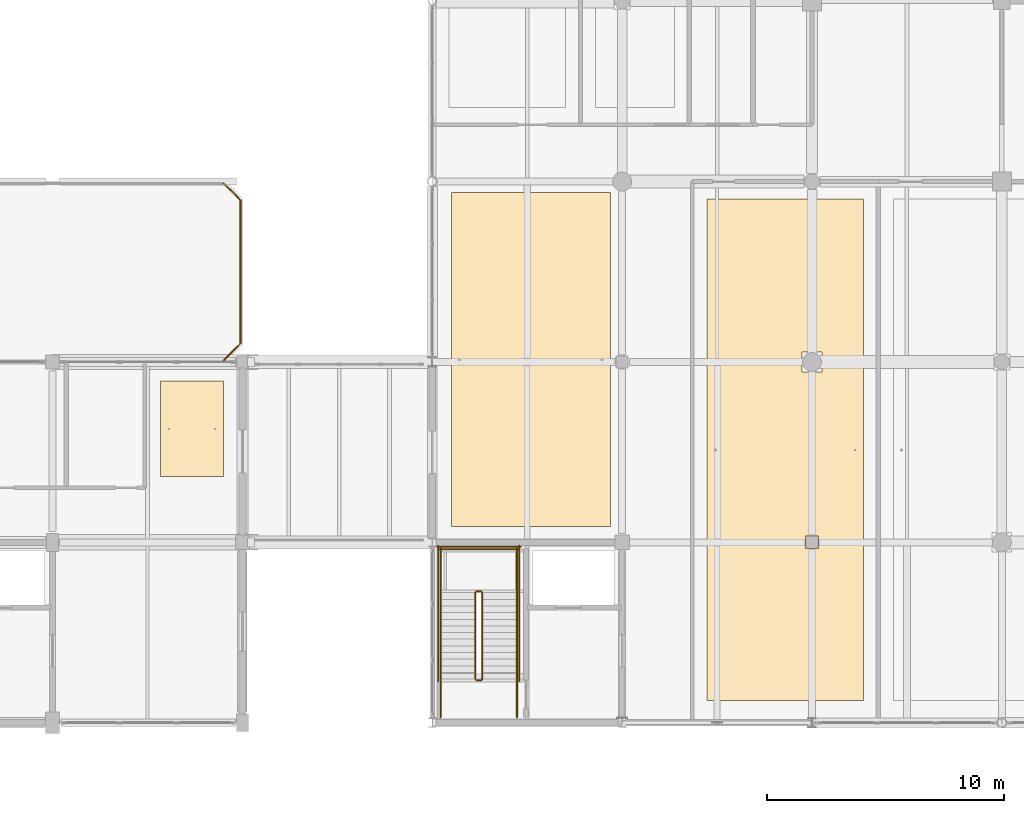
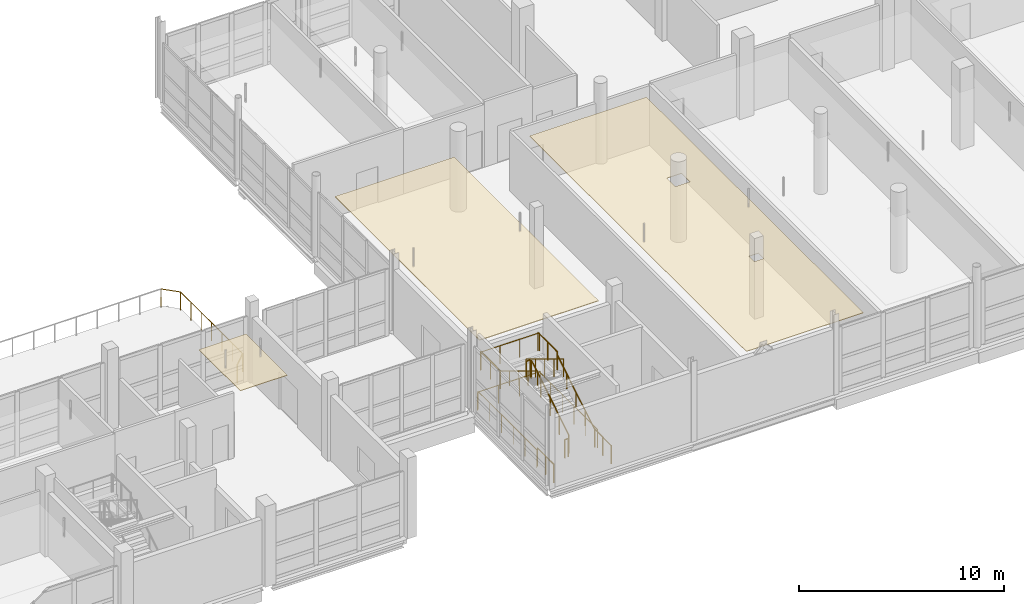
# One storey, part 142 of 147: 17 railings, 3 coverings.
"""IFC4 building model written with IfcOpenShell, lengths in metres."""

from ifc_helpers import new_model, si_unit, direction, frame, origin, origin_2d, place, context, subcontext, project, spatial, polyline, circle, outline, extrude, material, layer, layer_set, type_object, element, save


model = new_model("IFC4")

# Units and contexts
model_context = context("Model", 3, precision=1e-05, world=origin(), true_north=direction((0.0, 1.0)))
body_context = subcontext(model_context, "Body", "Model", "MODEL_VIEW")
ifc_project = project(units=[si_unit("LENGTHUNIT", "METRE"), si_unit("AREAUNIT", "SQUARE_METRE"), si_unit("VOLUMEUNIT", "CUBIC_METRE"), si_unit("PLANEANGLEUNIT", "RADIAN"), si_unit("MASSUNIT", "GRAM", prefix="KILO")], contexts=[model_context])

# Site, building, storey
site_placement = place(None, origin())
site = spatial("IfcSite", under=ifc_project, at=site_placement, CompositionType="ELEMENT")
building_placement = place(site_placement, origin())
building = spatial("IfcBuilding", under=site, at=building_placement, Name="Khelvaren Railside Concert Hall", CompositionType="ELEMENT")
storey_placement = place(building_placement, frame((0.0, 0.0, 5.39990234375)))
storey = spatial("IfcBuildingStorey", under=building, at=storey_placement, Name="L01", CompositionType="ELEMENT", Elevation=5.39990234375)

# Railings
ifc_material_1 = material(Name="Architectural stainless steel Grade 316", Category="steel")
railing_type_1 = type_object("IfcRailingType", Name="BAL77", PredefinedType="BALUSTRADE", material=ifc_material_1)
railing_1_placement = place(storey_placement, frame((135.219970703125, 15.280029296875, 0.0)))
element("IfcRailing", 1, at=railing_1_placement, inside=storey, type_object=railing_type_1, Name="Terrace Perimeter Balustrade V3-L01-SE", PredefinedType="BALUSTRADE", context=body_context, shape_type="SweptSolid", body=[
    extrude(circle(Radius=0.02392578125, at=origin_2d()), frame((0.0, 0.0, 1.076171875), z_axis=(0.707106781187, 0.707106781187, 0.0), x_axis=(-0.707106781187, 0.707106781187, 0.0)), (0.0, 0.0, 1.0), 0.989990234375),
    extrude(circle(Radius=0.02099609375, at=origin_2d()), origin(), (0.0, 0.0, 1.0), 1.052001953125),
    extrude(circle(Radius=0.02099609375, at=origin_2d()), frame((0.699951171875, 0.699951171875, 0.0)), (0.0, 0.0, 1.0), 1.052001953125),
])
railing_2_placement = place(storey_placement, frame((135.919921875, 15.97998046875, 0.0)))
element("IfcRailing", 2, at=railing_2_placement, inside=storey, type_object=railing_type_1, Name="Terrace Perimeter Balustrade V3-L01-E", PredefinedType="BALUSTRADE", context=body_context, shape_type="SweptSolid", body=[
    extrude(circle(Radius=0.02392578125, at=origin_2d()), frame((0.0, 0.0, 1.076171875), z_axis=(0.0, 1.0, 0.0), x_axis=(-1.0, 0.0, 0.0)), (0.0, 0.0, 1.0), 6.0400390625),
    extrude(circle(Radius=0.02099609375, at=origin_2d()), origin(), (0.0, 0.0, 1.0), 1.052001953125),
    extrude(circle(Radius=0.02099609375, at=origin_2d()), frame((0.0, 1.006591796875, 0.0)), (0.0, 0.0, 1.0), 1.052001953125),
    extrude(circle(Radius=0.02099609375, at=origin_2d()), frame((0.0, 2.013427734375, 0.0)), (0.0, 0.0, 1.0), 1.052001953125),
    extrude(circle(Radius=0.02099609375, at=origin_2d()), frame((0.0, 3.02001953125, 0.0)), (0.0, 0.0, 1.0), 1.052001953125),
    extrude(circle(Radius=0.02099609375, at=origin_2d()), frame((0.0, 4.026611328125, 0.0)), (0.0, 0.0, 1.0), 1.052001953125),
    extrude(circle(Radius=0.02099609375, at=origin_2d()), frame((0.0, 5.033447265625, 0.0)), (0.0, 0.0, 1.0), 1.052001953125),
    extrude(circle(Radius=0.02099609375, at=origin_2d()), frame((0.0, 6.0400390625, 0.0)), (0.0, 0.0, 1.0), 1.052001953125),
])
railing_3_placement = place(storey_placement, frame((135.919921875, 22.02001953125, 0.0)))
element("IfcRailing", 3, at=railing_3_placement, inside=storey, type_object=railing_type_1, Name="Terrace Perimeter Balustrade V3-L01-NE", PredefinedType="BALUSTRADE", context=body_context, shape_type="SweptSolid", body=[
    extrude(circle(Radius=0.02392578125, at=origin_2d()), frame((0.0, 0.0, 1.076171875), z_axis=(-0.707106781187, 0.707106781187, 0.0), x_axis=(-0.707106781187, -0.707106781187, 0.0)), (0.0, 0.0, 1.0), 0.989990234375),
    extrude(circle(Radius=0.02099609375, at=origin_2d()), origin(), (0.0, 0.0, 1.0), 1.052001953125),
    extrude(circle(Radius=0.02099609375, at=origin_2d()), frame((-0.699951171875, 0.699951171875, 0.0)), (0.0, 0.0, 1.0), 1.052001953125),
])

# Coverings
ifc_material_2 = material(Name="Mineral-wool acoustic baffle ceiling", Category="gypsum")
ifc_layer_1 = layer(ifc_material_2, 0.0400390625)
ifc_layer_set_1 = layer_set([ifc_layer_1], Name="Mineral-wool acoustic baffle ceiling")
covering_type_1 = type_object("IfcCoveringType", Name="CLG20", PredefinedType="CEILING", material=ifc_layer_set_1)
covering_1_placement = place(storey_placement, frame((0.0, 0.0, 3.41015625)))
element("IfcCovering", 4, at=covering_1_placement, inside=storey, type_object=covering_type_1, Name="Suspended Acoustic Ceiling V2 L01 West Bridge Foyer", PredefinedType="CEILING", context=body_context, shape_type="SweptSolid", body=[
    extrude(outline(polyline([(144.800048828125, 8.27001953125), (151.5, 8.27001953125), (151.5, 22.35009765625), (144.800048828125, 22.35009765625), (144.800048828125, 8.27001953125)])), origin(), (0.0, 0.0, 1.0), 0.0400390625),
])
ifc_material_3 = material(Name="Micro-perforated timber acoustic ceiling", Category="wood")
ifc_layer_2 = layer(ifc_material_3, 0.030029296875)
ifc_layer_set_2 = layer_set([ifc_layer_2], Name="Micro-perforated timber acoustic ceiling")
covering_type_2 = type_object("IfcCoveringType", Name="CLG77", PredefinedType="CEILING", material=ifc_layer_set_2)
covering_2_placement = place(storey_placement, frame((0.0, 0.0, 3.420166015625)))
element("IfcCovering", 5, at=covering_2_placement, inside=storey, type_object=covering_type_2, Name="Suspended Acoustic Ceiling Mastering Control Suite A", PredefinedType="CEILING", context=body_context, shape_type="SweptSolid", body=[
    extrude(outline(polyline([(155.580078125, 0.929931640625), (162.166015625, 0.929931640625), (162.166015625, 22.070068359375), (155.580078125, 22.070068359375), (155.580078125, 0.929931640625)]), holes=[polyline([(159.735107421875, 7.3349609375), (160.264892578125, 7.3349609375), (160.264892578125, 7.864990234375), (159.735107421875, 7.864990234375), (159.735107421875, 7.3349609375)]), polyline([(159.5849609375, 14.784912109375), (160.4150390625, 14.784912109375), (160.4150390625, 15.614990234375), (159.5849609375, 15.614990234375), (159.5849609375, 14.784912109375)])]), origin(), (0.0, 0.0, 1.0), 0.030029296875),
])
covering_3_placement = place(storey_placement, frame((0.0, 0.0, 3.420166015625)))
element("IfcCovering", 6, at=covering_3_placement, inside=storey, type_object=covering_type_2, Name="Suspended Acoustic Ceiling V3 L01 East Bridge Foyer", PredefinedType="CEILING", context=body_context, shape_type="SweptSolid", body=[
    extrude(outline(polyline([(132.550048828125, 10.3701171875), (135.199951171875, 10.3701171875), (135.199951171875, 14.39990234375), (132.550048828125, 14.39990234375), (132.550048828125, 10.3701171875)])), origin(), (0.0, 0.0, 1.0), 0.030029296875),
])

# Railings
ifc_material_4 = material(Name="Painted architectural steel", Category="steel")
railing_type_2 = type_object("IfcRailingType", Name="GRD86", PredefinedType="GUARDRAIL", material=ifc_material_4)
railing_4_placement = place(storey_placement, frame((146.110107421875, 1.840087890625, 0.171630859375)))
element("IfcRailing", 7, at=railing_4_placement, inside=storey, type_object=railing_type_2, Name="L01 ST-03 stair guard 1", PredefinedType="GUARDRAIL", context=body_context, shape_type="SweptSolid", body=[
    extrude(circle(Radius=0.02392578125, at=origin_2d()), frame((0.0, 0.0, 1.076171875), z_axis=(0.0, 0.852850264322, 0.5221555579), x_axis=(-1.0, 0.0, 0.0)), (0.0, 0.0, 1.0), 4.267822265625),
    extrude(circle(Radius=0.02099609375, at=origin_2d()), origin(), (0.0, 0.0, 1.0), 1.052001953125),
    extrude(circle(Radius=0.02099609375, at=origin_2d()), frame((0.0, 0.909912109375, 0.55712890625)), (0.0, 0.0, 1.0), 1.052001953125),
    extrude(circle(Radius=0.02099609375, at=origin_2d()), frame((0.0, 1.81982421875, 1.1142578125)), (0.0, 0.0, 1.0), 1.052001953125),
    extrude(circle(Radius=0.02099609375, at=origin_2d()), frame((0.0, 2.72998046875, 1.67138671875)), (0.0, 0.0, 1.0), 1.052001953125),
    extrude(circle(Radius=0.02099609375, at=origin_2d()), frame((0.0, 3.639892578125, 2.228515625)), (0.0, 0.0, 1.0), 1.052001953125),
])
railing_5_placement = place(storey_placement, frame((146.06005859375, 5.530029296875, 2.400146484375)))
element("IfcRailing", 8, at=railing_5_placement, inside=storey, type_object=railing_type_2, Name="L01 ST-03 stair guard 2", PredefinedType="GUARDRAIL", context=body_context, shape_type="SweptSolid", body=[
    extrude(circle(Radius=0.02392578125, at=origin_2d()), frame((0.0, 0.0, 1.076171875), z_axis=(-1.0, 0.0, 0.0), x_axis=(0.0, -1.0, 0.0)), (0.0, 0.0, 1.0), 0.199951171875),
    extrude(circle(Radius=0.02099609375, at=origin_2d()), origin(), (0.0, 0.0, 1.0), 1.052001953125),
    extrude(circle(Radius=0.02099609375, at=origin_2d()), frame((-0.199951171875, 0.0, 0.0)), (0.0, 0.0, 1.0), 1.052001953125),
])
for number, where, name in (
    (9, (147.570068359375, 5.47998046875, 2.400146484375), "L01 ST-03 stair guard 3"),
    (10, (144.35009765625, 5.47998046875, 2.400146484375), "L01 ST-03 stair guard 4"),
):
    element("IfcRailing", number, at=place(storey_placement, frame(where)), inside=storey, type_object=railing_type_2, Name=name, PredefinedType="GUARDRAIL", context=body_context, shape_type="SweptSolid", body=[
        extrude(circle(Radius=0.02392578125, at=origin_2d()), frame((0.0, 0.0, 1.076171875), z_axis=(0.0, 1.0, 0.0), x_axis=(-1.0, 0.0, 0.0)), (0.0, 0.0, 1.0), 1.880126953125),
        extrude(circle(Radius=0.02099609375, at=origin_2d()), origin(), (0.0, 0.0, 1.0), 1.052001953125),
        extrude(circle(Radius=0.02099609375, at=origin_2d()), frame((0.0, 0.93994140625, 0.0)), (0.0, 0.0, 1.0), 1.052001953125),
        extrude(circle(Radius=0.02099609375, at=origin_2d()), frame((0.0, 1.880126953125, 0.0)), (0.0, 0.0, 1.0), 1.052001953125),
    ])
railing_6_placement = place(storey_placement, frame((147.6201171875, 7.31005859375, 2.400146484375)))
element("IfcRailing", 11, at=railing_6_placement, inside=storey, type_object=railing_type_2, Name="L01 ST-03 stair guard 5", PredefinedType="GUARDRAIL", context=body_context, shape_type="SweptSolid", body=[
    extrude(circle(Radius=0.02392578125, at=origin_2d()), frame((0.0, 0.0, 1.076171875), z_axis=(-1.0, 0.0, 0.0), x_axis=(0.0, -1.0, 0.0)), (0.0, 0.0, 1.0), 3.320068359375),
    extrude(circle(Radius=0.02099609375, at=origin_2d()), origin(), (0.0, 0.0, 1.0), 1.052001953125),
    extrude(circle(Radius=0.02099609375, at=origin_2d()), frame((-1.106689453125, 0.0, 0.0)), (0.0, 0.0, 1.0), 1.052001953125),
    extrude(circle(Radius=0.02099609375, at=origin_2d()), frame((-2.21337890625, 0.0, 0.0)), (0.0, 0.0, 1.0), 1.052001953125),
    extrude(circle(Radius=0.02099609375, at=origin_2d()), frame((-3.320068359375, 0.0, 0.0)), (0.0, 0.0, 1.0), 1.052001953125),
])
railing_7_placement = place(storey_placement, frame((145.81005859375, 5.47998046875, 2.571533203125)))
element("IfcRailing", 12, at=railing_7_placement, inside=storey, type_object=railing_type_2, Name="L01 ST-03 stair guard 6", PredefinedType="GUARDRAIL", context=body_context, shape_type="SweptSolid", body=[
    extrude(circle(Radius=0.02392578125, at=origin_2d()), frame((0.0, 0.0, 1.076171875), z_axis=(0.0, -0.852850264322, 0.5221555579), x_axis=(1.0, 0.0, 0.0)), (0.0, 0.0, 1.0), 4.267822265625),
    extrude(circle(Radius=0.02099609375, at=origin_2d()), origin(), (0.0, 0.0, 1.0), 1.052001953125),
    extrude(circle(Radius=0.02099609375, at=origin_2d()), frame((0.0, -0.909912109375, 0.55712890625)), (0.0, 0.0, 1.0), 1.052001953125),
    extrude(circle(Radius=0.02099609375, at=origin_2d()), frame((0.0, -1.81982421875, 1.1142578125)), (0.0, 0.0, 1.0), 1.052001953125),
    extrude(circle(Radius=0.02099609375, at=origin_2d()), frame((0.0, -2.72998046875, 1.67138671875)), (0.0, 0.0, 1.0), 1.052001953125),
    extrude(circle(Radius=0.02099609375, at=origin_2d()), frame((0.0, -3.639892578125, 2.228515625)), (0.0, 0.0, 1.0), 1.052001953125),
])
railing_8_placement = place(storey_placement, frame((146.06005859375, 1.7900390625, 0.0)))
element("IfcRailing", 13, at=railing_8_placement, inside=storey, type_object=railing_type_2, Name="L01 ST-03 stair guard 7", PredefinedType="GUARDRAIL", context=body_context, shape_type="SweptSolid", body=[
    extrude(circle(Radius=0.02392578125, at=origin_2d()), frame((0.0, 0.0, 1.076171875), z_axis=(-1.0, 0.0, 0.0), x_axis=(0.0, -1.0, 0.0)), (0.0, 0.0, 1.0), 0.199951171875),
    extrude(circle(Radius=0.02099609375, at=origin_2d()), origin(), (0.0, 0.0, 1.0), 1.052001953125),
    extrude(circle(Radius=0.02099609375, at=origin_2d()), frame((-0.199951171875, 0.0, 0.0)), (0.0, 0.0, 1.0), 1.052001953125),
])
for number, where, name in (
    (14, (147.570068359375, 0.239990234375, 0.0), "L01 ST-03 stair guard 8"),
    (15, (144.35009765625, 0.239990234375, 0.0), "L01 ST-03 stair guard 9"),
):
    element("IfcRailing", number, at=place(storey_placement, frame(where)), inside=storey, type_object=railing_type_2, Name=name, PredefinedType="GUARDRAIL", context=body_context, shape_type="SweptSolid", body=[
        extrude(circle(Radius=0.02392578125, at=origin_2d()), frame((0.0, 0.0, 1.076171875), z_axis=(0.0, 1.0, 0.0), x_axis=(-1.0, 0.0, 0.0)), (0.0, 0.0, 1.0), 1.60009765625),
        extrude(circle(Radius=0.02099609375, at=origin_2d()), origin(), (0.0, 0.0, 1.0), 1.052001953125),
        extrude(circle(Radius=0.02099609375, at=origin_2d()), frame((0.0, 0.800048828125, 0.0)), (0.0, 0.0, 1.0), 1.052001953125),
        extrude(circle(Radius=0.02099609375, at=origin_2d()), frame((0.0, 1.60009765625, 0.0)), (0.0, 0.0, 1.0), 1.052001953125),
    ])
for number, where, name in (
    (16, (147.669921875, 1.739990234375, 0.0), "L01 ST-03 stair guard 10"),
    (17, (144.25, 1.739990234375, 0.0), "L01 ST-03 stair guard 11"),
):
    element("IfcRailing", number, at=place(storey_placement, frame(where)), inside=storey, type_object=railing_type_2, Name=name, PredefinedType="GUARDRAIL", context=body_context, shape_type="SweptSolid", body=[
        extrude(circle(Radius=0.02392578125, at=origin_2d()), frame((0.0, 0.0, 1.076171875), z_axis=(0.0, 1.0, 0.0), x_axis=(-1.0, 0.0, 0.0)), (0.0, 0.0, 1.0), 5.719970703125),
        extrude(circle(Radius=0.02099609375, at=origin_2d()), origin(), (0.0, 0.0, 1.0), 1.052001953125),
        extrude(circle(Radius=0.02099609375, at=origin_2d()), frame((0.0, 1.14404296875, 0.0)), (0.0, 0.0, 1.0), 1.052001953125),
        extrude(circle(Radius=0.02099609375, at=origin_2d()), frame((0.0, 2.2880859375, 0.0)), (0.0, 0.0, 1.0), 1.052001953125),
        extrude(circle(Radius=0.02099609375, at=origin_2d()), frame((0.0, 3.431884765625, 0.0)), (0.0, 0.0, 1.0), 1.052001953125),
        extrude(circle(Radius=0.02099609375, at=origin_2d()), frame((0.0, 4.575927734375, 0.0)), (0.0, 0.0, 1.0), 1.052001953125),
        extrude(circle(Radius=0.02099609375, at=origin_2d()), frame((0.0, 5.719970703125, 0.0)), (0.0, 0.0, 1.0), 1.052001953125),
    ])
railing_9_placement = place(storey_placement, frame((147.719970703125, 7.409912109375, 0.0)))
element("IfcRailing", 18, at=railing_9_placement, inside=storey, type_object=railing_type_2, Name="L01 ST-03 stair guard 12", PredefinedType="GUARDRAIL", context=body_context, shape_type="SweptSolid", body=[
    extrude(circle(Radius=0.02392578125, at=origin_2d()), frame((0.0, 0.0, 1.076171875), z_axis=(-1.0, 0.0, 0.0), x_axis=(0.0, -1.0, 0.0)), (0.0, 0.0, 1.0), 3.52001953125),
    extrude(circle(Radius=0.02099609375, at=origin_2d()), origin(), (0.0, 0.0, 1.0), 1.052001953125),
    extrude(circle(Radius=0.02099609375, at=origin_2d()), frame((-1.17333984375, 0.0, 0.0)), (0.0, 0.0, 1.0), 1.052001953125),
    extrude(circle(Radius=0.02099609375, at=origin_2d()), frame((-2.3466796875, 0.0, 0.0)), (0.0, 0.0, 1.0), 1.052001953125),
    extrude(circle(Radius=0.02099609375, at=origin_2d()), frame((-3.52001953125, 0.0, 0.0)), (0.0, 0.0, 1.0), 1.052001953125),
])
ifc_material_5 = material(Name="Brushed stainless steel Grade 316", Category="steel")
railing_type_3 = type_object("IfcRailingType", Name="HRL59", PredefinedType="HANDRAIL", material=ifc_material_5)
railing_10_placement = place(storey_placement, frame((147.570068359375, 1.840087890625, 0.171630859375)))
element("IfcRailing", 19, at=railing_10_placement, inside=storey, type_object=railing_type_3, Name="L01 ST-03 stair handrail 1", PredefinedType="HANDRAIL", context=body_context, shape_type="SweptSolid", body=[
    extrude(circle(Radius=0.02392578125, at=origin_2d()), frame((0.0, 0.0, 0.8759765625), z_axis=(0.0, 0.852850264322, 0.5221555579), x_axis=(-1.0, 0.0, 0.0)), (0.0, 0.0, 1.0), 4.267822265625),
    extrude(circle(Radius=0.02099609375, at=origin_2d()), origin(), (0.0, 0.0, 1.0), 0.851806640625),
    extrude(circle(Radius=0.02099609375, at=origin_2d()), frame((0.0, 0.909912109375, 0.55712890625)), (0.0, 0.0, 1.0), 0.851806640625),
    extrude(circle(Radius=0.02099609375, at=origin_2d()), frame((0.0, 1.81982421875, 1.1142578125)), (0.0, 0.0, 1.0), 0.851806640625),
    extrude(circle(Radius=0.02099609375, at=origin_2d()), frame((0.0, 2.72998046875, 1.67138671875)), (0.0, 0.0, 1.0), 0.851806640625),
    extrude(circle(Radius=0.02099609375, at=origin_2d()), frame((0.0, 3.639892578125, 2.228515625)), (0.0, 0.0, 1.0), 0.851806640625),
])
railing_11_placement = place(storey_placement, frame((144.35009765625, 5.47998046875, 2.571533203125)))
element("IfcRailing", 20, at=railing_11_placement, inside=storey, type_object=railing_type_3, Name="L01 ST-03 stair handrail 2", PredefinedType="HANDRAIL", context=body_context, shape_type="SweptSolid", body=[
    extrude(circle(Radius=0.02392578125, at=origin_2d()), frame((0.0, 0.0, 0.8759765625), z_axis=(0.0, -0.852850264322, 0.5221555579), x_axis=(1.0, 0.0, 0.0)), (0.0, 0.0, 1.0), 4.267822265625),
    extrude(circle(Radius=0.02099609375, at=origin_2d()), origin(), (0.0, 0.0, 1.0), 0.851806640625),
    extrude(circle(Radius=0.02099609375, at=origin_2d()), frame((0.0, -0.909912109375, 0.55712890625)), (0.0, 0.0, 1.0), 0.851806640625),
    extrude(circle(Radius=0.02099609375, at=origin_2d()), frame((0.0, -1.81982421875, 1.1142578125)), (0.0, 0.0, 1.0), 0.851806640625),
    extrude(circle(Radius=0.02099609375, at=origin_2d()), frame((0.0, -2.72998046875, 1.67138671875)), (0.0, 0.0, 1.0), 0.851806640625),
    extrude(circle(Radius=0.02099609375, at=origin_2d()), frame((0.0, -3.639892578125, 2.228515625)), (0.0, 0.0, 1.0), 0.851806640625),
])

save(model, "model.ifc")
